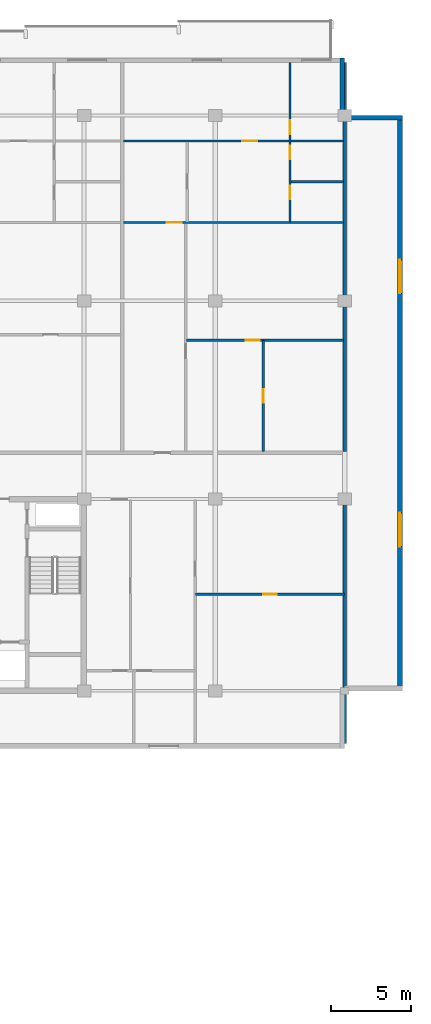
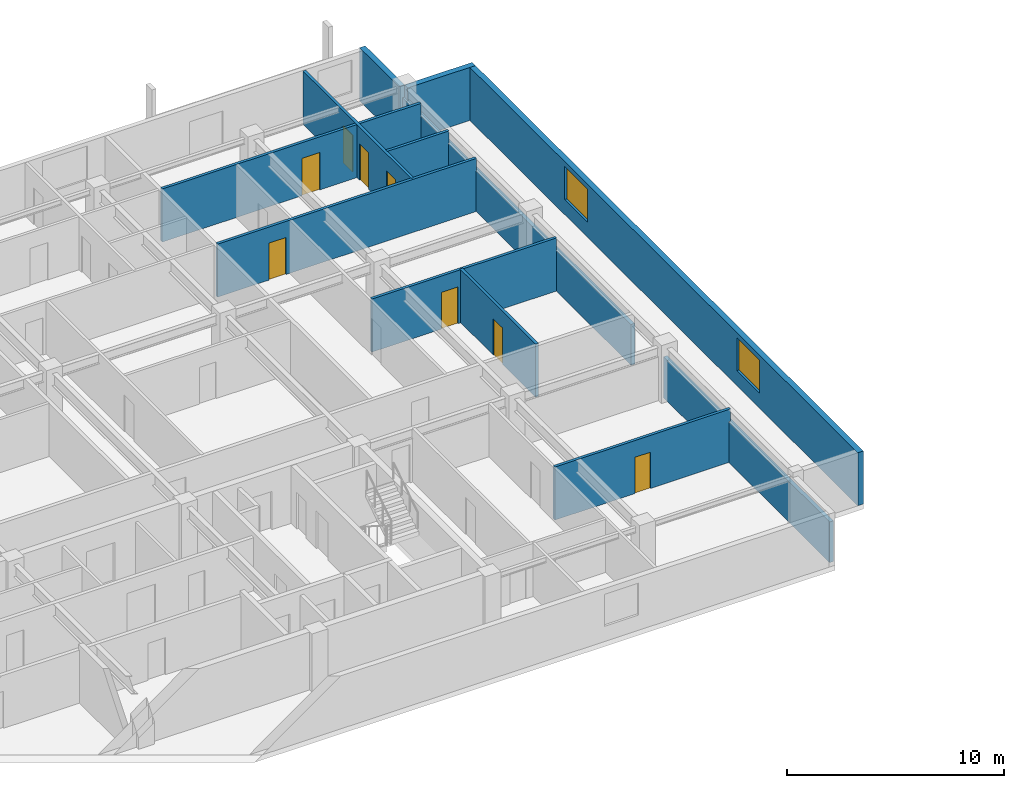
# One storey, part 13 of 17: 12 walls, 8 doors, 2 windows, 10 openings.
"""IFC4 building model written with IfcOpenShell, lengths in metres."""

from ifc_helpers import new_model, si_unit, direction, frame, frame_2d, origin, place, context, subcontext, project, spatial, rectangle, extrude, material, layer, layer_set, type_object, element, fill, save


model = new_model("IFC4")

# Units and contexts
model_context = context("Model", 3, precision=1e-05, world=origin(), true_north=direction((0.0, 1.0)))
body_context = subcontext(model_context, "Body", "Model", "MODEL_VIEW")
ifc_project = project(units=[si_unit("LENGTHUNIT", "METRE"), si_unit("AREAUNIT", "SQUARE_METRE"), si_unit("VOLUMEUNIT", "CUBIC_METRE"), si_unit("PLANEANGLEUNIT", "RADIAN"), si_unit("MASSUNIT", "GRAM", prefix="KILO")], contexts=[model_context])

# Site, building, storey
site_placement = place(None, origin())
site = spatial("IfcSite", under=ifc_project, at=site_placement, CompositionType="ELEMENT")
building_placement = place(site_placement, origin())
building = spatial("IfcBuilding", under=site, at=building_placement, Name="Korimba Cascade Residences", CompositionType="ELEMENT")
storey_placement = place(building_placement, frame((0.0, 0.0, 204.35009765625)))
storey = spatial("IfcBuildingStorey", under=building, at=storey_placement, Name="L59", CompositionType="ELEMENT", Elevation=204.35009765625)

# Wall, openings, windows
ifc_material_1 = material(Name="Precast concrete C40/50", Category="concrete")
ifc_layer_1 = layer(ifc_material_1, 0.300048828125)
ifc_layer_set_1 = layer_set([ifc_layer_1], Name="Precast concrete C40/50")
wall_type_1 = type_object("IfcWallType", Name="EW-STONE-300", PredefinedType="STANDARD", material=ifc_layer_set_1)
wall_1_placement = place(storey_placement, frame((131.85009765625, 55.199951171875, 0.0), z_axis=(0.0, 0.0, 1.0), x_axis=(0.0, 1.0, 0.0)))
wall_1 = element("IfcWall", 1, at=wall_1_placement, inside=storey, type_object=wall_type_1, Name="L59 T1 Perimeter Stone Wall E03", PredefinedType="STANDARD", context=body_context, shape_type="SweptSolid", body=[
    extrude(rectangle(XDim=36.0, YDim=0.300048828125, at=frame_2d((18.0, 0.0))), origin(), (0.0, 0.0, 1.0), 2.97998046875),
])
opening_1_placement = place(wall_1_placement, frame((9.030029296875, 0.0, 0.85009765625)))
opening_1 = element("IfcOpeningElement", 2, at=opening_1_placement, cuts=wall_1, Name="Opening W-03", PredefinedType="OPENING", context=body_context, shape_type="SweptSolid", body=[
    extrude(rectangle(XDim=2.10009765625, YDim=1.85009765625, at=frame_2d((1.050048828125, 0.925048828125))), frame((0.0, 0.16015625, 0.0), z_axis=(0.0, -1.0, 0.0), x_axis=(1.0, 0.0, 0.0)), (0.0, 0.0, 1.0), 0.320068359375),
])
opening_2_placement = place(wall_1_placement, frame((24.8701171875, 0.0, 0.85009765625)))
opening_2 = element("IfcOpeningElement", 3, at=opening_2_placement, cuts=wall_1, Name="Opening W-03", PredefinedType="OPENING", context=body_context, shape_type="SweptSolid", body=[
    extrude(rectangle(XDim=2.10009765625, YDim=1.85009765625, at=frame_2d((1.050048828125, 0.925048828125))), frame((0.0, 0.16015625, 0.0), z_axis=(0.0, -1.0, 0.0), x_axis=(1.0, 0.0, 0.0)), (0.0, 0.0, 1.0), 0.320068359375),
])
ifc_material_2 = material(Name="Double-Glazed Aluminium Window", Category="aluminium")
window_type = type_object("IfcWindowType", Name="WIN-CRN-2100", PartitioningType="DOUBLE_PANEL_HORIZONTAL", PredefinedType="WINDOW", material=ifc_material_2)
window_1_placement = place(opening_1_placement, origin())
window_1 = element("IfcWindow", 4, at=window_1_placement, inside=storey, type_object=window_type, Name="L59 T1 End View Window 3.1", OverallHeight=1.85009765625, OverallWidth=2.10009765625, PartitioningType="DOUBLE_PANEL_HORIZONTAL", PredefinedType="WINDOW", context=body_context, shape_type="SweptSolid", body=[
    extrude(rectangle(XDim=2.10009765625, YDim=1.85009765625, at=frame_2d((1.050048828125, 0.925048828125))), frame((0.0, 0.030029296875, 0.0), z_axis=(0.0, -1.0, 0.0), x_axis=(1.0, 0.0, 0.0)), (0.0, 0.0, 1.0), 0.06005859375),
])
fill(opening_1, window_1)
window_2_placement = place(opening_2_placement, origin())
window_2 = element("IfcWindow", 5, at=window_2_placement, inside=storey, type_object=window_type, Name="L59 T1 End View Window 3.2", OverallHeight=1.85009765625, OverallWidth=2.10009765625, PartitioningType="DOUBLE_PANEL_HORIZONTAL", PredefinedType="WINDOW", context=body_context, shape_type="SweptSolid", body=[
    extrude(rectangle(XDim=2.10009765625, YDim=1.85009765625, at=frame_2d((1.050048828125, 0.925048828125))), frame((0.0, 0.030029296875, 0.0), z_axis=(0.0, -1.0, 0.0), x_axis=(1.0, 0.0, 0.0)), (0.0, 0.0, 1.0), 0.06005859375),
])
fill(opening_2, window_2)

# Walls
for number, where, z_axis, x_axis, name in (
    (6, (132.0, 91.050048828125, 0.0), (0.0, 0.0, 1.0), (-1.0, 0.0, 0.0), "L59 T1 Perimeter Stone Wall E04"),
    (7, (128.25, 91.199951171875, 0.0), (0.0, 0.0, 1.0), (0.0, 1.0, 0.0), "L59 T1 Perimeter Stone Wall E05"),
):
    element("IfcWall", number, at=place(storey_placement, frame(where, z_axis=z_axis, x_axis=x_axis)), inside=storey, type_object=wall_type_1, Name=name, PredefinedType="STANDARD", context=body_context, shape_type="SweptSolid", body=[
        extrude(rectangle(XDim=3.60009765625, YDim=0.300048828125, at=frame_2d((1.800048828125, 0.0))), origin(), (0.0, 0.0, 1.0), 2.97998046875),
    ])
ifc_layer_2 = layer(ifc_material_1, 0.199951171875)
ifc_layer_set_2 = layer_set([ifc_layer_2], Name="Precast concrete C40/50")
wall_type_2 = type_object("IfcWallType", Name="WAL-IT-200", PredefinedType="PARTITIONING", material=ifc_layer_set_2)
wall_2_placement = place(storey_placement, frame((128.39990234375, 51.89990234375, 0.0), z_axis=(0.0, 0.0, 1.0), x_axis=(0.0, 1.0, 0.0)))
element("IfcWall", 8, at=wall_2_placement, inside=storey, type_object=wall_type_2, Name="L59 Partition Wall WAL-L59-T1-FE-WR", PredefinedType="PARTITIONING", context=body_context, shape_type="SweptSolid", body=[
    extrude(rectangle(XDim=15.300048828125, YDim=0.199951171875, at=frame_2d((7.64990234375, 0.0))), origin(), (0.0, 0.0, 1.0), 2.287109375),
])
wall_3_placement = place(storey_placement, frame((128.39990234375, 70.179931640625, 0.0), z_axis=(0.0, 0.0, 1.0), x_axis=(0.0, 1.0, 0.0)))
element("IfcWall", 9, at=wall_3_placement, inside=storey, type_object=wall_type_2, Name="L59 Partition Wall WAL-L59-T1-BNDWR", PredefinedType="PARTITIONING", context=body_context, shape_type="SweptSolid", body=[
    extrude(rectangle(XDim=24.320068359375, YDim=0.199951171875, at=frame_2d((12.16015625, 0.0))), origin(), (0.0, 0.0, 1.0), 2.287109375),
])

# Wall, opening, door
ifc_material_3 = material(Name="Insulated Acoustic Stud Partition", Category="gypsum")
ifc_layer_3 = layer(ifc_material_3, 0.14990234375)
ifc_layer_set_3 = layer_set([ifc_layer_3], Name="Insulated Acoustic Stud Partition")
wall_type_3 = type_object("IfcWallType", Name="WAL-PART-150", PredefinedType="PARTITIONING", material=ifc_layer_set_3)
wall_4_placement = place(storey_placement, frame((119.050048828125, 61.25, 0.0), z_axis=(0.0, 0.0, 1.0), x_axis=(1.0, 0.0, 0.0)))
wall_4 = element("IfcWall", 10, at=wall_4_placement, inside=storey, type_object=wall_type_3, Name="L59 Partition Wall WAL-L59-T1-FE-STH", PredefinedType="PARTITIONING", context=body_context, shape_type="SweptSolid", body=[
    extrude(rectangle(XDim=9.349853515625, YDim=0.14990234375, at=frame_2d((4.6748046875, 0.0))), origin(), (0.0, 0.0, 1.0), 2.97998046875),
])
opening_3_placement = place(wall_4_placement, frame((4.2548828125, 0.0, 0.0)))
opening_3 = element("IfcOpeningElement", 11, at=opening_3_placement, cuts=wall_4, Name="Opening D-BT1", PredefinedType="OPENING", context=body_context, shape_type="SweptSolid", body=[
    extrude(rectangle(XDim=0.840087890625, YDim=2.0400390625, at=frame_2d((0.419921875, 1.02001953125))), frame((0.0, 0.0849609375, 0.0), z_axis=(0.0, -1.0, 0.0), x_axis=(1.0, 0.0, 0.0)), (0.0, 0.0, 1.0), 0.169921875),
])
ifc_material_4 = material(Name="Moisture-Resistant Bathroom Timber Door", Category="wood")
door_type_1 = type_object("IfcDoorType", Name="DR-INT-850", OperationType="NOTDEFINED", PredefinedType="DOOR", material=ifc_material_4)
door_1_placement = place(opening_3_placement, origin())
door_1 = element("IfcDoor", 12, at=door_1_placement, inside=storey, type_object=door_type_1, Name="L59-T1-FE Dressing Store Door", OperationType="SINGLE_SWING_LEFT", OverallHeight=2.0400390625, OverallWidth=0.840087890625, PredefinedType="DOOR", context=body_context, shape_type="SweptSolid", body=[
    extrude(rectangle(XDim=0.840087890625, YDim=2.0400390625, at=frame_2d((0.419921875, 1.02001953125))), frame((0.0, 0.02490234375, 0.0), z_axis=(0.0, -1.0, 0.0), x_axis=(1.0, 0.0, 0.0)), (0.0, 0.0, 1.0), 0.050048828125),
])
fill(opening_3, door_1)

wall_5_placement = place(storey_placement, frame((123.29541015625, 70.159912109375, 0.0), z_axis=(0.0, 0.0, 1.0), x_axis=(0.0, 1.0, 0.0)))
wall_5 = element("IfcWall", 13, at=wall_5_placement, inside=storey, type_object=wall_type_3, Name="L59 Partition Wall WAL-L59-T1-U06-FMV", PredefinedType="PARTITIONING", context=body_context, shape_type="SweptSolid", body=[
    extrude(rectangle(XDim=6.969970703125, YDim=0.14990234375, at=frame_2d((3.48486328125, 0.0))), origin(), (0.0, 0.0, 1.0), 2.97998046875),
])
opening_4_placement = place(wall_5_placement, frame((3.06494140625, 0.0, 0.0)))
opening_4 = element("IfcOpeningElement", 14, at=opening_4_placement, cuts=wall_5, Name="Opening D-BT1", PredefinedType="OPENING", context=body_context, shape_type="SweptSolid", body=[
    extrude(rectangle(XDim=0.840087890625, YDim=2.0400390625, at=frame_2d((0.419921875, 1.02001953125))), frame((0.0, 0.0849609375, 0.0), z_axis=(0.0, -1.0, 0.0), x_axis=(1.0, 0.0, 0.0)), (0.0, 0.0, 1.0), 0.169921875),
])
door_2_placement = place(opening_4_placement, origin())
door_2 = element("IfcDoor", 15, at=door_2_placement, inside=storey, type_object=door_type_1, Name="L59-T1-U06 Wardrobe Door", OperationType="SINGLE_SWING_RIGHT", OverallHeight=2.0400390625, OverallWidth=0.840087890625, PredefinedType="DOOR", context=body_context, shape_type="SweptSolid", body=[
    extrude(rectangle(XDim=0.840087890625, YDim=2.0400390625, at=frame_2d((0.419921875, 1.02001953125))), frame((0.0, 0.02490234375, 0.0), z_axis=(0.0, -1.0, 0.0), x_axis=(1.0, 0.0, 0.0)), (0.0, 0.0, 1.0), 0.050048828125),
])
fill(opening_4, door_2)

wall_6_placement = place(storey_placement, frame((118.510986328125, 77.1298828125, 0.0), z_axis=(0.0, 0.0, 1.0), x_axis=(1.0, 0.0, 0.0)))
wall_6 = element("IfcWall", 16, at=wall_6_placement, inside=storey, type_object=wall_type_3, Name="L59 Partition Wall WAL-L59-T1-U06-FMH", PredefinedType="PARTITIONING", context=body_context, shape_type="SweptSolid", body=[
    extrude(rectangle(XDim=9.80908203125, YDim=0.14990234375, at=frame_2d((4.904541015625, 0.0))), origin(), (0.0, 0.0, 1.0), 2.97998046875),
])
opening_5_placement = place(wall_6_placement, frame((3.6845703125, 0.0, 0.0)))
opening_5 = element("IfcOpeningElement", 17, at=opening_5_placement, cuts=wall_6, Name="Opening D-IN2", PredefinedType="OPENING", context=body_context, shape_type="SweptSolid", body=[
    extrude(rectangle(XDim=0.8798828125, YDim=2.06005859375, at=frame_2d((0.43994140625, 1.030029296875))), frame((0.0, 0.0849609375, 0.0), z_axis=(0.0, -1.0, 0.0), x_axis=(1.0, 0.0, 0.0)), (0.0, 0.0, 1.0), 0.169921875),
])
ifc_material_5 = material(Name="Acoustic Timber Bedroom Door", Category="wood")
door_type_2 = type_object("IfcDoorType", Name="DR-INT-880", OperationType="NOTDEFINED", PredefinedType="DOOR", material=ifc_material_5)
door_3_placement = place(opening_5_placement, origin())
door_3 = element("IfcDoor", 18, at=door_3_placement, inside=storey, type_object=door_type_2, Name="L59-T1-U06 Library Salon Door", OperationType="SINGLE_SWING_LEFT", OverallHeight=2.06005859375, OverallWidth=0.8798828125, PredefinedType="DOOR", context=body_context, shape_type="SweptSolid", body=[
    extrude(rectangle(XDim=0.8798828125, YDim=2.06005859375, at=frame_2d((0.43994140625, 1.030029296875))), frame((0.0, 0.02490234375, 0.0), z_axis=(0.0, -1.0, 0.0), x_axis=(1.0, 0.0, 0.0)), (0.0, 0.0, 1.0), 0.050048828125),
])
fill(opening_5, door_3)

# Wall
wall_7_placement = place(storey_placement, frame((125.0400390625, 87.0400390625, 0.0), z_axis=(0.0, 0.0, 1.0), x_axis=(1.0, 0.0, 0.0)))
element("IfcWall", 19, at=wall_7_placement, inside=storey, type_object=wall_type_3, Name="L59 Partition Wall WAL-L59-T1-U06-BLDIV", PredefinedType="PARTITIONING", context=body_context, shape_type="SweptSolid", body=[
    extrude(rectangle(XDim=3.280029296875, YDim=0.14990234375, at=frame_2d((1.64013671875, 0.0))), origin(), (0.0, 0.0, 1.0), 2.97998046875),
])

# Wall, openings, doors
wall_8_placement = place(storey_placement, frame((124.97998046875, 84.5400390625, 0.0), z_axis=(0.0, 0.0, 1.0), x_axis=(0.0, 1.0, 0.0)))
wall_8 = element("IfcWall", 20, at=wall_8_placement, inside=storey, type_object=wall_type_3, Name="L59 Partition Wall WAL-L59-T1-U06-V1", PredefinedType="PARTITIONING", context=body_context, shape_type="SweptSolid", body=[
    extrude(rectangle(XDim=9.9599609375, YDim=0.14990234375, at=frame_2d((4.97998046875, 0.0))), origin(), (0.0, 0.0, 1.0), 2.97998046875),
])
opening_6_placement = place(wall_8_placement, frame((1.430419921875, 0.0, 0.0)))
opening_6 = element("IfcOpeningElement", 21, at=opening_6_placement, cuts=wall_8, Name="Opening D-BT1", PredefinedType="OPENING", context=body_context, shape_type="SweptSolid", body=[
    extrude(rectangle(XDim=0.840087890625, YDim=2.0400390625, at=frame_2d((0.419921875, 1.02001953125))), frame((0.0, 0.0849609375, 0.0), z_axis=(0.0, -1.0, 0.0), x_axis=(1.0, 0.0, 0.0)), (0.0, 0.0, 1.0), 0.169921875),
])
opening_7_placement = place(wall_8_placement, frame((3.919921875, 0.0, 0.0)))
opening_7 = element("IfcOpeningElement", 22, at=opening_7_placement, cuts=wall_8, Name="Opening D-BT1", PredefinedType="OPENING", context=body_context, shape_type="SweptSolid", body=[
    extrude(rectangle(XDim=0.840087890625, YDim=2.0400390625, at=frame_2d((0.419921875, 1.02001953125))), frame((0.0, 0.0849609375, 0.0), z_axis=(0.0, -1.0, 0.0), x_axis=(1.0, 0.0, 0.0)), (0.0, 0.0, 1.0), 0.169921875),
])
opening_8_placement = place(wall_8_placement, frame((5.47998046875, 0.0, 0.0)))
opening_8 = element("IfcOpeningElement", 23, at=opening_8_placement, cuts=wall_8, Name="Opening D-IN2", PredefinedType="OPENING", context=body_context, shape_type="SweptSolid", body=[
    extrude(rectangle(XDim=0.8798828125, YDim=2.06005859375, at=frame_2d((0.43994140625, 1.030029296875))), frame((0.0, 0.0849609375, 0.0), z_axis=(0.0, -1.0, 0.0), x_axis=(1.0, 0.0, 0.0)), (0.0, 0.0, 1.0), 0.169921875),
])
door_4_placement = place(opening_6_placement, origin())
door_4 = element("IfcDoor", 24, at=door_4_placement, inside=storey, type_object=door_type_1, Name="L59-T1-U06 Bathroom Door", OperationType="SINGLE_SWING_RIGHT", OverallHeight=2.0400390625, OverallWidth=0.840087890625, PredefinedType="DOOR", context=body_context, shape_type="SweptSolid", body=[
    extrude(rectangle(XDim=0.840087890625, YDim=2.0400390625, at=frame_2d((0.419921875, 1.02001953125))), frame((0.0, 0.02490234375, 0.0), z_axis=(0.0, -1.0, 0.0), x_axis=(1.0, 0.0, 0.0)), (0.0, 0.0, 1.0), 0.050048828125),
])
fill(opening_6, door_4)
door_5_placement = place(opening_7_placement, origin())
door_5 = element("IfcDoor", 25, at=door_5_placement, inside=storey, type_object=door_type_1, Name="L59-T1-U06 Laundry Door", OperationType="SINGLE_SWING_LEFT", OverallHeight=2.0400390625, OverallWidth=0.840087890625, PredefinedType="DOOR", context=body_context, shape_type="SweptSolid", body=[
    extrude(rectangle(XDim=0.840087890625, YDim=2.0400390625, at=frame_2d((0.419921875, 1.02001953125))), frame((0.0, 0.02490234375, 0.0), z_axis=(0.0, -1.0, 0.0), x_axis=(1.0, 0.0, 0.0)), (0.0, 0.0, 1.0), 0.050048828125),
])
fill(opening_7, door_5)
door_6_placement = place(opening_8_placement, origin())
door_6 = element("IfcDoor", 26, at=door_6_placement, inside=storey, type_object=door_type_2, Name="L59-T1-U06 Bedroom 1 Door", OperationType="SINGLE_SWING_RIGHT", OverallHeight=2.06005859375, OverallWidth=0.8798828125, PredefinedType="DOOR", context=body_context, shape_type="SweptSolid", body=[
    extrude(rectangle(XDim=0.8798828125, YDim=2.06005859375, at=frame_2d((0.43994140625, 1.030029296875))), frame((0.0, 0.02490234375, 0.0), z_axis=(0.0, -1.0, 0.0), x_axis=(1.0, 0.0, 0.0)), (0.0, 0.0, 1.0), 0.050048828125),
])
fill(opening_8, door_6)

# Wall, opening, door
wall_9_placement = place(storey_placement, frame((114.56103515625, 84.5, 0.0), z_axis=(0.0, 0.0, 1.0), x_axis=(1.0, 0.0, 0.0)))
wall_9 = element("IfcWall", 27, at=wall_9_placement, inside=storey, type_object=wall_type_3, Name="L59 Partition Wall WAL-L59-T1-U06-MW", PredefinedType="PARTITIONING", context=body_context, shape_type="SweptSolid", body=[
    extrude(rectangle(XDim=13.759033203125, YDim=0.14990234375, at=frame_2d((6.87939453125, 0.0))), origin(), (0.0, 0.0, 1.0), 2.97998046875),
])
opening_9_placement = place(wall_9_placement, frame((2.719970703125, 0.0, 0.0)))
opening_9 = element("IfcOpeningElement", 28, at=opening_9_placement, cuts=wall_9, Name="Opening D-IN1", PredefinedType="OPENING", context=body_context, shape_type="SweptSolid", body=[
    extrude(rectangle(XDim=0.919921875, YDim=2.080078125, at=frame_2d((0.4599609375, 1.0400390625))), frame((0.0, 0.0849609375, 0.0), z_axis=(0.0, -1.0, 0.0), x_axis=(1.0, 0.0, 0.0)), (0.0, 0.0, 1.0), 0.169921875),
])
ifc_material_6 = material(Name="Acoustic Timber Living Door", Category="wood")
door_type_3 = type_object("IfcDoorType", Name="DR-INT-920", OperationType="NOTDEFINED", PredefinedType="DOOR", material=ifc_material_6)
door_7_placement = place(opening_9_placement, origin())
door_7 = element("IfcDoor", 29, at=door_7_placement, inside=storey, type_object=door_type_3, Name="L59-T1-U06 Kitchen Archway Door", OperationType="SINGLE_SWING_LEFT", OverallHeight=2.080078125, OverallWidth=0.919921875, PredefinedType="DOOR", context=body_context, shape_type="SweptSolid", body=[
    extrude(rectangle(XDim=0.919921875, YDim=2.080078125, at=frame_2d((0.4599609375, 1.0400390625))), frame((0.0, 0.02490234375, 0.0), z_axis=(0.0, -1.0, 0.0), x_axis=(1.0, 0.0, 0.0)), (0.0, 0.0, 1.0), 0.050048828125),
])
fill(opening_9, door_7)

wall_10_placement = place(storey_placement, frame((114.56103515625, 89.60009765625, 0.0), z_axis=(0.0, 0.0, 1.0), x_axis=(1.0, 0.0, 0.0)))
wall_10 = element("IfcWall", 30, at=wall_10_placement, inside=storey, type_object=wall_type_3, Name="L59 Partition Wall WAL-L59-T1-U06-HZ", PredefinedType="PARTITIONING", context=body_context, shape_type="SweptSolid", body=[
    extrude(rectangle(XDim=13.759033203125, YDim=0.14990234375, at=frame_2d((6.87939453125, 0.0))), origin(), (0.0, 0.0, 1.0), 2.97998046875),
])
opening_10_placement = place(wall_10_placement, frame((7.43310546875, 0.0, 0.0)))
opening_10 = element("IfcOpeningElement", 31, at=opening_10_placement, cuts=wall_10, Name="Opening D-IN0", PredefinedType="OPENING", context=body_context, shape_type="SweptSolid", body=[
    extrude(rectangle(XDim=0.93994140625, YDim=2.10009765625, at=frame_2d((0.469970703125, 1.050048828125))), frame((0.0, 0.0849609375, 0.0), z_axis=(0.0, -1.0, 0.0), x_axis=(1.0, 0.0, 0.0)), (0.0, 0.0, 1.0), 0.169921875),
])
ifc_material_7 = material(Name="Acoustic Timber Living Archway Door", Category="wood")
door_type_4 = type_object("IfcDoorType", Name="DR-INT-950", OperationType="NOTDEFINED", PredefinedType="DOOR", material=ifc_material_7)
door_8_placement = place(opening_10_placement, origin())
door_8 = element("IfcDoor", 32, at=door_8_placement, inside=storey, type_object=door_type_4, Name="L59-T1-U06 Living Archway Door", OperationType="SINGLE_SWING_RIGHT", OverallHeight=2.10009765625, OverallWidth=0.93994140625, PredefinedType="DOOR", context=body_context, shape_type="SweptSolid", body=[
    extrude(rectangle(XDim=0.93994140625, YDim=2.10009765625, at=frame_2d((0.469970703125, 1.050048828125))), frame((0.0, 0.02490234375, 0.0), z_axis=(0.0, -1.0, 0.0), x_axis=(1.0, 0.0, 0.0)), (0.0, 0.0, 1.0), 0.050048828125),
])
fill(opening_10, door_8)

save(model, "model.ifc")
